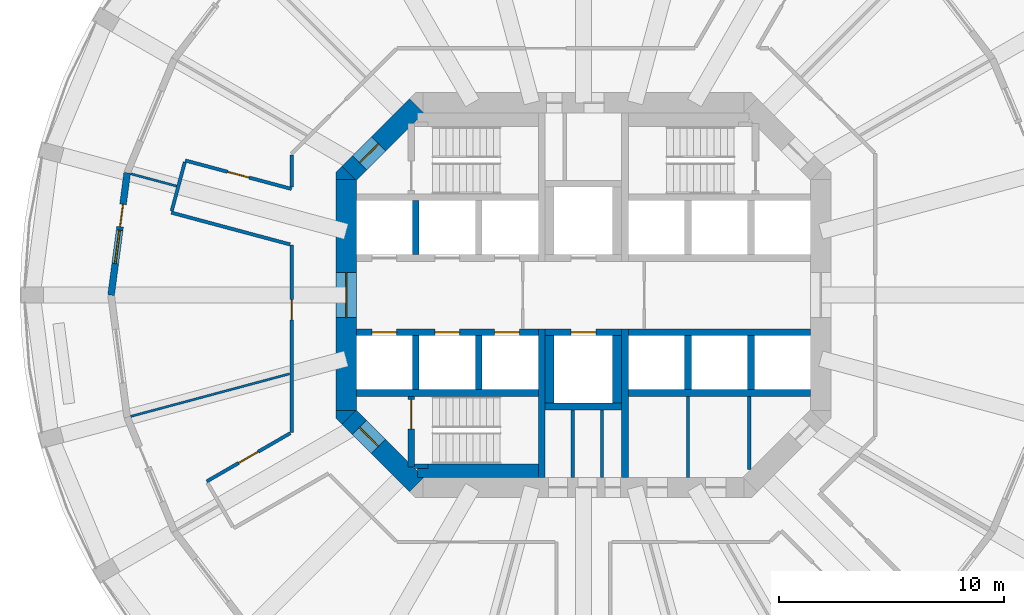
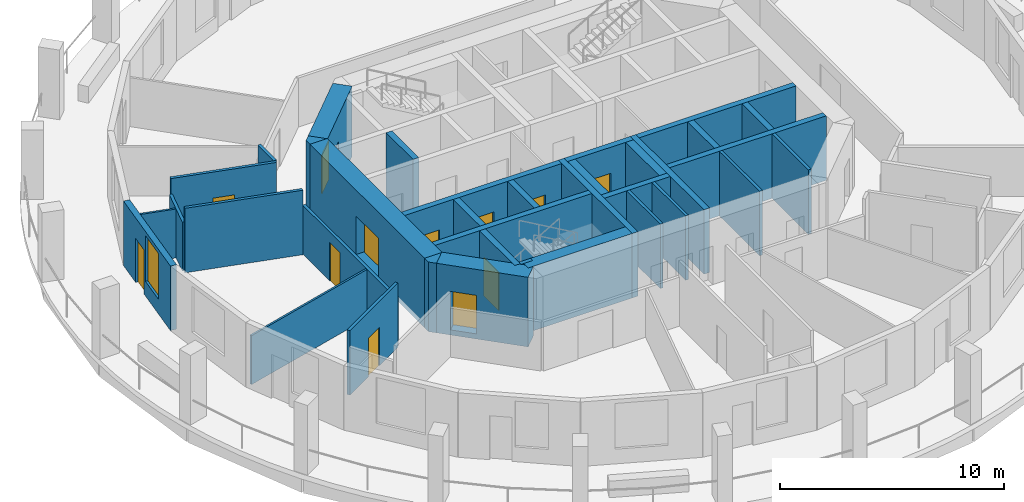
# One storey, part 3 of 8: 36 walls, 12 doors, 1 window, 13 openings.
"""IFC4 building model written with IfcOpenShell, lengths in metres."""

from ifc_helpers import new_model, si_unit, direction, frame, frame_2d, origin, place, context, subcontext, project, spatial, polyline, rectangle, outline, extrude, material, layer, layer_set, type_object, element, fill, save


model = new_model("IFC4")

# Units and contexts
model_context = context("Model", 3, precision=1e-05, world=origin(), true_north=direction((0.0, 1.0)))
body_context = subcontext(model_context, "Body", "Model", "MODEL_VIEW")
ifc_project = project(units=[si_unit("LENGTHUNIT", "METRE"), si_unit("AREAUNIT", "SQUARE_METRE"), si_unit("VOLUMEUNIT", "CUBIC_METRE"), si_unit("PLANEANGLEUNIT", "RADIAN"), si_unit("MASSUNIT", "GRAM", prefix="KILO")], contexts=[model_context])

# Site, building, storey
site_placement = place(None, origin())
site = spatial("IfcSite", under=ifc_project, at=site_placement, CompositionType="ELEMENT")
building_placement = place(site_placement, origin())
building = spatial("IfcBuilding", under=site, at=building_placement, Name="Torre Triforio", CompositionType="ELEMENT")
storey_placement = place(building_placement, frame((0.0, 0.0, 120.0)))
storey = spatial("IfcBuildingStorey", under=building, at=storey_placement, Name="L26", CompositionType="ELEMENT", Elevation=120.0)

# Walls
ifc_material_1 = material(Name="Concrete C60", Category="concrete")
ifc_layer_1 = layer(ifc_material_1, 0.300048828125)
ifc_layer_set_1 = layer_set([ifc_layer_1], Name="Concrete C60")
wall_type_1 = type_object("IfcWallType", Name="Core wall 300 mm C60 EI 120", PredefinedType="SHEAR", material=ifc_layer_set_1)
for number, where, z_axis, x_axis, name in (
    (1, (-1.85009765625, -8.10009765625, 0.0), (0.0, 0.0, 1.0), (0.0, 1.0, 0.0), "Core wall"),
    (2, (1.85009765625, -8.10009765625, 0.0), (0.0, 0.0, 1.0), (0.0, 1.0, 0.0), "Core wall"),
):
    element("IfcWall", number, at=place(storey_placement, frame(where, z_axis=z_axis, x_axis=x_axis)), inside=storey, type_object=wall_type_1, Name=name, PredefinedType="SHEAR", context=body_context, shape_type="SweptSolid", body=[
        extrude(rectangle(XDim=6.60009765625, YDim=0.300048828125, at=frame_2d((3.300048828125, 0.0))), origin(), (0.0, 0.0, 1.0), 3.52001953125),
    ])

# Wall, opening, door
ifc_layer_2 = layer(ifc_material_1, 0.89990234375)
ifc_layer_set_2 = layer_set([ifc_layer_2], Name="Concrete C60")
wall_type_2 = type_object("IfcWallType", Name="Core wall 900 mm C60 EI 120", PredefinedType="SHEAR", material=ifc_layer_set_2)
wall_1_placement = place(storey_placement, frame((-10.550048828125, -5.1298828125, -0.280029296875), z_axis=(0.0, 0.0, 1.0), x_axis=(0.0, 1.0, 0.0)))
wall_1 = element("IfcWall", 3, at=wall_1_placement, inside=storey, type_object=wall_type_2, Name="Core wall", PredefinedType="SHEAR", context=body_context, shape_type="SweptSolid", body=[
    extrude(rectangle(XDim=10.259765625, YDim=0.89990234375, at=frame_2d((5.1298828125, 0.0))), origin(), (0.0, 0.0, 1.0), 3.800048828125),
])
opening_1_placement = place(wall_1_placement, frame((4.1298828125, 0.0, 0.280029296875)))
opening_1 = element("IfcOpeningElement", 4, at=opening_1_placement, cuts=wall_1, Name="Opening W-RING", PredefinedType="OPENING", context=body_context, shape_type="SweptSolid", body=[
    extrude(rectangle(XDim=2.0, YDim=2.10009765625, at=frame_2d((1.0, 1.050048828125))), frame((0.0, 0.4599609375, 0.0), z_axis=(0.0, -1.0, 0.0), x_axis=(1.0, 0.0, 0.0)), (0.0, 0.0, 1.0), 0.919921875),
])
ifc_material_2 = material(Name="Hollow metal fire door leaf")
door_type_1 = type_object("IfcDoorType", Name="Lobby door 2000 x 2100 EI 60", OperationType="DOUBLE_DOOR_SINGLE_SWING", PredefinedType="DOOR", material=ifc_material_2)
door_1_placement = place(opening_1_placement, origin())
door_1 = element("IfcDoor", 5, at=door_1_placement, inside=storey, type_object=door_type_1, Name="Core door W-RING", OperationType="DOUBLE_DOOR_SINGLE_SWING", OverallHeight=2.10009765625, OverallWidth=2.0, PredefinedType="DOOR", context=body_context, shape_type="SweptSolid", body=[
    extrude(rectangle(XDim=2.0, YDim=2.10009765625, at=frame_2d((1.0, 1.050048828125))), frame((0.0, 0.02490234375, 0.0), z_axis=(0.0, -1.0, 0.0), x_axis=(1.0, 0.0, 0.0)), (0.0, 0.0, 1.0), 0.050048828125),
])
fill(opening_1, door_1)

wall_2_placement = place(storey_placement, frame((-10.418212890625, 5.418212890625, -0.280029296875), z_axis=(0.0, 0.0, 1.0), x_axis=(0.707106781187, 0.707106781187, 0.0)))
wall_2 = element("IfcWall", 6, at=wall_2_placement, inside=storey, type_object=wall_type_2, Name="Core wall", PredefinedType="SHEAR", context=body_context, shape_type="SweptSolid", body=[
    extrude(rectangle(XDim=4.24267578125, YDim=0.89990234375, at=frame_2d((2.121337890625, 0.0))), origin(), (0.0, 0.0, 1.0), 3.800048828125),
])
opening_2_placement = place(wall_2_placement, frame((0.64990234375, 0.0, 0.280029296875)))
opening_2 = element("IfcOpeningElement", 7, at=opening_2_placement, cuts=wall_2, Name="Opening ST1-EXIT", PredefinedType="OPENING", context=body_context, shape_type="SweptSolid", body=[
    extrude(rectangle(XDim=1.199951171875, YDim=2.10009765625, at=frame_2d((0.60009765625, 1.050048828125))), frame((0.0, 0.4599609375, 0.0), z_axis=(0.0, -1.0, 0.0), x_axis=(1.0, 0.0, 0.0)), (0.0, 0.0, 1.0), 0.919921875),
])
door_type_2 = type_object("IfcDoorType", Name="Stair lobby door 1200 x 2100 EI 60", OperationType="NOTDEFINED", PredefinedType="DOOR", material=ifc_material_2)
door_2_placement = place(opening_2_placement, origin())
door_2 = element("IfcDoor", 8, at=door_2_placement, inside=storey, type_object=door_type_2, Name="Core door ST1-EXIT", OperationType="SINGLE_SWING_RIGHT", OverallHeight=2.10009765625, OverallWidth=1.199951171875, PredefinedType="DOOR", context=body_context, shape_type="SweptSolid", body=[
    extrude(rectangle(XDim=1.199951171875, YDim=2.10009765625, at=frame_2d((0.60009765625, 1.050048828125))), frame((0.0, 0.02490234375, 0.0), z_axis=(0.0, -1.0, 0.0), x_axis=(1.0, 0.0, 0.0)), (0.0, 0.0, 1.0), 0.050048828125),
])
fill(opening_2, door_2)

wall_3_placement = place(storey_placement, frame((-7.418212890625, -8.418212890625, -0.280029296875), z_axis=(0.0, 0.0, 1.0), x_axis=(-0.707106781187, 0.707106781187, 0.0)))
wall_3 = element("IfcWall", 9, at=wall_3_placement, inside=storey, type_object=wall_type_2, Name="Core wall", PredefinedType="SHEAR", context=body_context, shape_type="SweptSolid", body=[
    extrude(rectangle(XDim=4.24267578125, YDim=0.89990234375, at=frame_2d((2.121337890625, 0.0))), origin(), (0.0, 0.0, 1.0), 3.800048828125),
])
opening_3_placement = place(wall_3_placement, frame((2.392578125, 0.0, 0.280029296875)))
opening_3 = element("IfcOpeningElement", 10, at=opening_3_placement, cuts=wall_3, Name="Opening ST3-EXIT", PredefinedType="OPENING", context=body_context, shape_type="SweptSolid", body=[
    extrude(rectangle(XDim=1.199951171875, YDim=2.10009765625, at=frame_2d((0.60009765625, 1.050048828125))), frame((0.0, 0.4599609375, 0.0), z_axis=(0.0, -1.0, 0.0), x_axis=(1.0, 0.0, 0.0)), (0.0, 0.0, 1.0), 0.919921875),
])
door_3_placement = place(opening_3_placement, origin())
door_3 = element("IfcDoor", 11, at=door_3_placement, inside=storey, type_object=door_type_2, Name="Core door ST3-EXIT", OperationType="SINGLE_SWING_RIGHT", OverallHeight=2.10009765625, OverallWidth=1.199951171875, PredefinedType="DOOR", context=body_context, shape_type="SweptSolid", body=[
    extrude(rectangle(XDim=1.199951171875, YDim=2.10009765625, at=frame_2d((0.60009765625, 1.050048828125))), frame((0.0, 0.02490234375, 0.0), z_axis=(0.0, -1.0, 0.0), x_axis=(1.0, 0.0, 0.0)), (0.0, 0.0, 1.0), 0.050048828125),
])
fill(opening_3, door_3)

# Walls
wall_4_placement = place(storey_placement, frame((0.0, 0.0, -0.280029296875)))
element("IfcWall", 12, at=wall_4_placement, inside=storey, type_object=wall_type_2, Name="Core wall", PredefinedType="SHEAR", context=body_context, shape_type="SweptSolid", body=[
    extrude(outline(polyline([(-11.0, -5.472900390625), (-11.0, -5.1298828125), (-10.1298828125, -5.1298828125), (-10.736328125, -5.736328125), (-11.0, -5.472900390625)])), origin(), (0.0, 0.0, 1.0), 3.800048828125),
])
wall_5_placement = place(storey_placement, frame((0.0, 0.0, -0.280029296875)))
element("IfcWall", 13, at=wall_5_placement, inside=storey, type_object=wall_type_2, Name="Core wall", PredefinedType="SHEAR", context=body_context, shape_type="SweptSolid", body=[
    extrude(outline(polyline([(-10.736328125, 5.736328125), (-10.1298828125, 5.1298828125), (-11.0, 5.1298828125), (-11.0, 5.472900390625), (-10.736328125, 5.736328125)])), origin(), (0.0, 0.0, 1.0), 3.800048828125),
])

# Wall, opening, door
ifc_material_3 = material(Name="Plasterboard on metal studs")
ifc_layer_3 = layer(ifc_material_3, 0.14990234375)
ifc_layer_set_3 = layer_set([ifc_layer_3], Name="Plasterboard on metal studs")
wall_type_3 = type_object("IfcWallType", Name="Corridor and tenancy wall 150 mm EI 60", PredefinedType="PARTITIONING", material=ifc_layer_set_3)
wall_6_placement = place(storey_placement, frame((-16.750244140625, -8.28515625, 0.0), z_axis=(0.0, 0.0, 1.0), x_axis=(0.866019905438, 0.500009523294, 0.0)))
wall_6 = element("IfcWall", 14, at=wall_6_placement, inside=storey, type_object=wall_type_3, Name="Partition 2", PredefinedType="PARTITIONING", context=body_context, shape_type="SweptSolid", body=[
    extrude(rectangle(XDim=4.29443359375, YDim=0.14990234375, at=frame_2d((2.147216796875, 0.0))), origin(), (0.0, 0.0, 1.0), 3.52001953125),
])
opening_4_placement = place(wall_6_placement, frame((1.647216796875, 0.0, 0.0)))
opening_4 = element("IfcOpeningElement", 15, at=opening_4_placement, cuts=wall_6, Name="Opening D1-05", PredefinedType="OPENING", context=body_context, shape_type="SweptSolid", body=[
    extrude(rectangle(XDim=1.0, YDim=2.10009765625, at=frame_2d((0.5, 1.050048828125))), frame((0.0, 0.0849609375, 0.0), z_axis=(0.0, -1.0, 0.0), x_axis=(1.0, 0.0, 0.0)), (0.0, 0.0, 1.0), 0.169921875),
])
ifc_material_4 = material(Name="Timber", Category="wood")
door_type_3 = type_object("IfcDoorType", Name="Door 1000 x 2100 single leaf EI 30", OperationType="NOTDEFINED", PredefinedType="DOOR", material=ifc_material_4)
door_4_placement = place(opening_4_placement, origin())
door_4 = element("IfcDoor", 16, at=door_4_placement, inside=storey, type_object=door_type_3, Name="Door D1-05", OperationType="SINGLE_SWING_RIGHT", OverallHeight=2.10009765625, OverallWidth=1.0, PredefinedType="DOOR", context=body_context, shape_type="SweptSolid", body=[
    extrude(rectangle(XDim=1.0, YDim=2.10009765625, at=frame_2d((0.5, 1.050048828125))), frame((0.0, 0.02490234375, 0.0), z_axis=(0.0, -1.0, 0.0), x_axis=(1.0, 0.0, 0.0)), (0.0, 0.0, 1.0), 0.050048828125),
])
fill(opening_4, door_4)

wall_7_placement = place(storey_placement, frame((-12.97509765625, -6.10546875, 0.0), z_axis=(0.0, 0.0, 1.0), x_axis=(0.0, 1.0, 0.0)))
wall_7 = element("IfcWall", 17, at=wall_7_placement, inside=storey, type_object=wall_type_3, Name="Partition 3", PredefinedType="PARTITIONING", context=body_context, shape_type="SweptSolid", body=[
    extrude(rectangle(XDim=8.33984375, YDim=0.14990234375, at=frame_2d((4.169921875, 0.0))), origin(), (0.0, 0.0, 1.0), 2.669921875),
])
opening_5_placement = place(wall_7_placement, frame((5.00830078125, 0.0, 0.0)))
opening_5 = element("IfcOpeningElement", 18, at=opening_5_placement, cuts=wall_7, Name="Opening D1-04", PredefinedType="OPENING", context=body_context, shape_type="SweptSolid", body=[
    extrude(rectangle(XDim=0.89990234375, YDim=2.10009765625, at=frame_2d((0.449951171875, 1.050048828125))), frame((0.0, 0.0849609375, 0.0), z_axis=(0.0, -1.0, 0.0), x_axis=(1.0, 0.0, 0.0)), (0.0, 0.0, 1.0), 0.169921875),
])
door_type_4 = type_object("IfcDoorType", Name="Door 900 x 2100 single leaf EI 30", OperationType="NOTDEFINED", PredefinedType="DOOR", material=ifc_material_4)
door_5_placement = place(opening_5_placement, origin())
door_5 = element("IfcDoor", 19, at=door_5_placement, inside=storey, type_object=door_type_4, Name="Door D1-04", OperationType="SINGLE_SWING_LEFT", OverallHeight=2.10009765625, OverallWidth=0.89990234375, PredefinedType="DOOR", context=body_context, shape_type="SweptSolid", body=[
    extrude(rectangle(XDim=0.89990234375, YDim=2.10009765625, at=frame_2d((0.449951171875, 1.050048828125))), frame((0.0, 0.02490234375, 0.0), z_axis=(0.0, -1.0, 0.0), x_axis=(1.0, 0.0, 0.0)), (0.0, 0.0, 1.0), 0.050048828125),
])
fill(opening_5, door_5)

# Walls
wall_8_placement = place(storey_placement, frame((-13.044921875, 2.253173828125, 0.0), z_axis=(0.0, 0.0, 1.0), x_axis=(-0.965932498402, 0.258794143153, 0.0)))
element("IfcWall", 20, at=wall_8_placement, inside=storey, type_object=wall_type_3, Name="Partition 4", PredefinedType="PARTITIONING", context=body_context, shape_type="SweptSolid", body=[
    extrude(rectangle(XDim=5.465087890625, YDim=0.14990234375, at=frame_2d((2.732421875, 0.0))), origin(), (0.0, 0.0, 1.0), 3.52001953125),
])
wall_9_placement = place(storey_placement, frame((-18.304443359375, 3.739990234375, 0.0), z_axis=(0.0, 0.0, 1.0), x_axis=(0.25879032241, 0.965933522054, 0.0)))
element("IfcWall", 21, at=wall_9_placement, inside=storey, type_object=wall_type_3, Name="Partition 5", PredefinedType="PARTITIONING", context=body_context, shape_type="SweptSolid", body=[
    extrude(rectangle(XDim=2.25, YDim=0.14990234375, at=frame_2d((1.125, 0.0))), origin(), (0.0, 0.0, 1.0), 2.669921875),
])

# Wall, opening, door
wall_10_placement = place(storey_placement, frame((-17.70263671875, 5.98583984375, 0.0), z_axis=(0.0, 0.0, 1.0), x_axis=(0.965920440817, -0.258839143121, 0.0)))
wall_10 = element("IfcWall", 22, at=wall_10_placement, inside=storey, type_object=wall_type_3, Name="Partition 6", PredefinedType="PARTITIONING", context=body_context, shape_type="SweptSolid", body=[
    extrude(rectangle(XDim=4.894287109375, YDim=0.14990234375, at=frame_2d((2.447265625, 0.0))), origin(), (0.0, 0.0, 1.0), 3.52001953125),
])
opening_6_placement = place(wall_10_placement, frame((1.947265625, 0.0, 0.0)))
opening_6 = element("IfcOpeningElement", 23, at=opening_6_placement, cuts=wall_10, Name="Opening D1-03", PredefinedType="OPENING", context=body_context, shape_type="SweptSolid", body=[
    extrude(rectangle(XDim=1.0, YDim=2.10009765625, at=frame_2d((0.5, 1.050048828125))), frame((0.0, 0.0849609375, 0.0), z_axis=(0.0, -1.0, 0.0), x_axis=(1.0, 0.0, 0.0)), (0.0, 0.0, 1.0), 0.169921875),
])
door_6_placement = place(opening_6_placement, origin())
door_6 = element("IfcDoor", 24, at=door_6_placement, inside=storey, type_object=door_type_3, Name="Door D1-03", OperationType="SINGLE_SWING_RIGHT", OverallHeight=2.10009765625, OverallWidth=1.0, PredefinedType="DOOR", context=body_context, shape_type="SweptSolid", body=[
    extrude(rectangle(XDim=1.0, YDim=2.10009765625, at=frame_2d((0.5, 1.050048828125))), frame((0.0, 0.02490234375, 0.0), z_axis=(0.0, -1.0, 0.0), x_axis=(1.0, 0.0, 0.0)), (0.0, 0.0, 1.0), 0.050048828125),
])
fill(opening_6, door_6)

# Walls
wall_11_placement = place(storey_placement, frame((-12.97509765625, 4.81640625, 0.0), z_axis=(0.0, 0.0, 1.0), x_axis=(0.0, 1.0, 0.0)))
element("IfcWall", 25, at=wall_11_placement, inside=storey, type_object=wall_type_3, Name="Partition 7", PredefinedType="PARTITIONING", context=body_context, shape_type="SweptSolid", body=[
    extrude(rectangle(XDim=1.421875, YDim=0.14990234375, at=frame_2d((0.7109375, 0.0))), origin(), (0.0, 0.0, 1.0), 3.52001953125),
])
ifc_layer_4 = layer(ifc_material_3, 0.10009765625)
ifc_layer_set_4 = layer_set([ifc_layer_4], Name="Plasterboard on metal studs")
wall_type_4 = type_object("IfcWallType", Name="Partition 100 mm board on metal studs", PredefinedType="PARTITIONING", material=ifc_layer_set_4)
wall_12_placement = place(storey_placement, frame((-18.085693359375, 4.84619140625, 0.0), z_axis=(0.0, 0.0, 1.0), x_axis=(-0.965956301772, 0.258705282257, 0.0)))
element("IfcWall", 26, at=wall_12_placement, inside=storey, type_object=wall_type_4, Name="Partition 35", PredefinedType="PARTITIONING", context=body_context, shape_type="SweptSolid", body=[
    extrude(rectangle(XDim=2.113037109375, YDim=0.10009765625, at=frame_2d((1.056640625, 0.0))), origin(), (0.0, 0.0, 1.0), 2.669921875),
])
wall_13_placement = place(storey_placement, frame((-13.064208984375, -3.50048828125, 0.0), z_axis=(0.0, 0.0, 1.0), x_axis=(-0.965927781613, -0.258811747624, 0.0)))
element("IfcWall", 27, at=wall_13_placement, inside=storey, type_object=wall_type_4, Name="Partition 36", PredefinedType="PARTITIONING", context=body_context, shape_type="SweptSolid", body=[
    extrude(rectangle(XDim=7.3115234375, YDim=0.10009765625, at=frame_2d((3.65576171875, 0.0))), origin(), (0.0, 0.0, 1.0), 2.669921875),
])
ifc_material_5 = material(Name="Block and board partition")
ifc_layer_5 = layer(ifc_material_5, 0.14990234375)
ifc_layer_set_5 = layer_set([ifc_layer_5], Name="Block and board partition")
wall_type_5 = type_object("IfcWallType", Name="Partition 150 mm", PredefinedType="PARTITIONING", material=ifc_layer_set_5)
wall_14_placement = place(storey_placement, frame((-0.47509765625, -8.10009765625, 0.0), z_axis=(0.0, 0.0, 1.0), x_axis=(0.0, 1.0, 0.0)))
element("IfcWall", 28, at=wall_14_placement, inside=storey, type_object=wall_type_5, Name="Partition", PredefinedType="PARTITIONING", context=body_context, shape_type="SweptSolid", body=[
    extrude(rectangle(XDim=3.0, YDim=0.14990234375, at=frame_2d((1.5, 0.0))), origin(), (0.0, 0.0, 1.0), 3.52001953125),
])
wall_15_placement = place(storey_placement, frame((4.64892578125, -8.10009765625, 0.0), z_axis=(0.0, 0.0, 1.0), x_axis=(0.0, 1.0, 0.0)))
element("IfcWall", 29, at=wall_15_placement, inside=storey, type_object=wall_type_5, Name="Partition", PredefinedType="PARTITIONING", context=body_context, shape_type="SweptSolid", body=[
    extrude(rectangle(XDim=3.60009765625, YDim=0.14990234375, at=frame_2d((1.800048828125, 0.0))), origin(), (0.0, 0.0, 1.0), 3.52001953125),
])
wall_16_placement = place(storey_placement, frame((7.373046875, -7.751953125, 0.0), z_axis=(0.0, 0.0, 1.0), x_axis=(0.0, 1.0, 0.0)))
element("IfcWall", 30, at=wall_16_placement, inside=storey, type_object=wall_type_5, Name="Partition", PredefinedType="PARTITIONING", context=body_context, shape_type="SweptSolid", body=[
    extrude(rectangle(XDim=3.251953125, YDim=0.14990234375, at=frame_2d((1.6259765625, 0.0))), origin(), (0.0, 0.0, 1.0), 3.52001953125),
])
ifc_layer_6 = layer(ifc_material_5, 0.14990234375)
ifc_layer_set_6 = layer_set([ifc_layer_6], Name="Block and board partition")
wall_type_6 = type_object("IfcWallType", Name="Partition 150 mm EI 120", PredefinedType="PARTITIONING", material=ifc_layer_set_6)
wall_17_placement = place(storey_placement, frame((0.824951171875, -8.10009765625, 0.0), z_axis=(0.0, 0.0, 1.0), x_axis=(0.0, 1.0, 0.0)))
element("IfcWall", 31, at=wall_17_placement, inside=storey, type_object=wall_type_6, Name="Partition", PredefinedType="PARTITIONING", context=body_context, shape_type="SweptSolid", body=[
    extrude(rectangle(XDim=3.0, YDim=0.14990234375, at=frame_2d((1.5, 0.0))), origin(), (0.0, 0.0, 1.0), 3.52001953125),
])
ifc_layer_7 = layer(ifc_material_1, 0.300048828125)
ifc_layer_set_7 = layer_set([ifc_layer_7], Name="Concrete C60")
wall_type_7 = type_object("IfcWallType", Name="Shaft wall 300 mm C60 EI 120", PredefinedType="SOLIDWALL", material=ifc_layer_set_7)
for number, where, z_axis, x_axis, name in (
    (32, (-10.10009765625, -4.35009765625, 0.0), (0.0, 0.0, 1.0), (1.0, 0.0, 0.0), "Shaft wall"),
    (33, (2.0, -4.35009765625, 0.0), (0.0, 0.0, 1.0), (1.0, 0.0, 0.0), "Shaft wall"),
):
    element("IfcWall", number, at=place(storey_placement, frame(where, z_axis=z_axis, x_axis=x_axis)), inside=storey, type_object=wall_type_7, Name=name, PredefinedType="SOLIDWALL", context=body_context, shape_type="SweptSolid", body=[
        extrude(rectangle(XDim=8.10009765625, YDim=0.300048828125, at=frame_2d((4.050048828125, 0.0))), origin(), (0.0, 0.0, 1.0), 3.52001953125),
    ])

# Wall, openings, doors
wall_18_placement = place(storey_placement, frame((-10.10009765625, -1.64990234375, 0.0), z_axis=(0.0, 0.0, 1.0), x_axis=(1.0, 0.0, 0.0)))
wall_18 = element("IfcWall", 34, at=wall_18_placement, inside=storey, type_object=wall_type_7, Name="Shaft wall", PredefinedType="SOLIDWALL", context=body_context, shape_type="SweptSolid", body=[
    extrude(rectangle(XDim=8.10009765625, YDim=0.300048828125, at=frame_2d((4.050048828125, 0.0))), origin(), (0.0, 0.0, 1.0), 3.52001953125),
])
opening_7_placement = place(wall_18_placement, frame((0.699951171875, 0.0, 0.0)))
opening_7 = element("IfcOpeningElement", 35, at=opening_7_placement, cuts=wall_18, Name="Opening LD", PredefinedType="OPENING", context=body_context, shape_type="SweptSolid", body=[
    extrude(rectangle(XDim=1.10009765625, YDim=2.10009765625, at=frame_2d((0.550048828125, 1.050048828125))), frame((0.0, 0.159912109375, 0.0), z_axis=(0.0, -1.0, 0.0), x_axis=(1.0, 0.0, 0.0)), (0.0, 0.0, 1.0), 0.320068359375),
])
opening_8_placement = place(wall_18_placement, frame((3.5, 0.0, 0.0)))
opening_8 = element("IfcOpeningElement", 36, at=opening_8_placement, cuts=wall_18, Name="Opening LD", PredefinedType="OPENING", context=body_context, shape_type="SweptSolid", body=[
    extrude(rectangle(XDim=1.10009765625, YDim=2.10009765625, at=frame_2d((0.550048828125, 1.050048828125))), frame((0.0, 0.159912109375, 0.0), z_axis=(0.0, -1.0, 0.0), x_axis=(1.0, 0.0, 0.0)), (0.0, 0.0, 1.0), 0.320068359375),
])
opening_9_placement = place(wall_18_placement, frame((6.14990234375, 0.0, 0.0)))
opening_9 = element("IfcOpeningElement", 37, at=opening_9_placement, cuts=wall_18, Name="Opening LD", PredefinedType="OPENING", context=body_context, shape_type="SweptSolid", body=[
    extrude(rectangle(XDim=1.10009765625, YDim=2.10009765625, at=frame_2d((0.550048828125, 1.050048828125))), frame((0.0, 0.159912109375, 0.0), z_axis=(0.0, -1.0, 0.0), x_axis=(1.0, 0.0, 0.0)), (0.0, 0.0, 1.0), 0.320068359375),
])
door_type_5 = type_object("IfcDoorType", Name="Landing door 1100 x 2100 EI 60", OperationType="DOUBLE_DOOR_SLIDING", PredefinedType="DOOR", material=ifc_material_2)
door_7_placement = place(opening_7_placement, origin())
door_7 = element("IfcDoor", 38, at=door_7_placement, inside=storey, type_object=door_type_5, Name="Landing door LR4", OperationType="DOUBLE_DOOR_SLIDING", OverallHeight=2.10009765625, OverallWidth=1.10009765625, PredefinedType="DOOR", context=body_context, shape_type="SweptSolid", body=[
    extrude(rectangle(XDim=1.10009765625, YDim=2.10009765625, at=frame_2d((0.550048828125, 1.050048828125))), frame((0.0, 0.02490234375, 0.0), z_axis=(0.0, -1.0, 0.0), x_axis=(1.0, 0.0, 0.0)), (0.0, 0.0, 1.0), 0.050048828125),
])
fill(opening_7, door_7)
door_8_placement = place(opening_8_placement, origin())
door_8 = element("IfcDoor", 39, at=door_8_placement, inside=storey, type_object=door_type_5, Name="Landing door LR5", OperationType="DOUBLE_DOOR_SLIDING", OverallHeight=2.10009765625, OverallWidth=1.10009765625, PredefinedType="DOOR", context=body_context, shape_type="SweptSolid", body=[
    extrude(rectangle(XDim=1.10009765625, YDim=2.10009765625, at=frame_2d((0.550048828125, 1.050048828125))), frame((0.0, 0.02490234375, 0.0), z_axis=(0.0, -1.0, 0.0), x_axis=(1.0, 0.0, 0.0)), (0.0, 0.0, 1.0), 0.050048828125),
])
fill(opening_8, door_8)
door_9_placement = place(opening_9_placement, origin())
door_9 = element("IfcDoor", 40, at=door_9_placement, inside=storey, type_object=door_type_5, Name="Landing door LR6", OperationType="DOUBLE_DOOR_SLIDING", OverallHeight=2.10009765625, OverallWidth=1.10009765625, PredefinedType="DOOR", context=body_context, shape_type="SweptSolid", body=[
    extrude(rectangle(XDim=1.10009765625, YDim=2.10009765625, at=frame_2d((0.550048828125, 1.050048828125))), frame((0.0, 0.02490234375, 0.0), z_axis=(0.0, -1.0, 0.0), x_axis=(1.0, 0.0, 0.0)), (0.0, 0.0, 1.0), 0.050048828125),
])
fill(opening_9, door_9)

# Walls
wall_19_placement = place(storey_placement, frame((2.0, -1.64990234375, 0.0), z_axis=(0.0, 0.0, 1.0), x_axis=(1.0, 0.0, 0.0)))
element("IfcWall", 41, at=wall_19_placement, inside=storey, type_object=wall_type_7, Name="Shaft wall", PredefinedType="SOLIDWALL", context=body_context, shape_type="SweptSolid", body=[
    extrude(rectangle(XDim=8.10009765625, YDim=0.300048828125, at=frame_2d((4.050048828125, 0.0))), origin(), (0.0, 0.0, 1.0), 3.52001953125),
])
for number, where, z_axis, x_axis, name in (
    (42, (-7.449951171875, 1.800048828125, 0.0), (0.0, 0.0, 1.0), (0.0, 1.0, 0.0), "Shaft wall"),
    (43, (-7.449951171875, -4.199951171875, 0.0), (0.0, 0.0, 1.0), (0.0, 1.0, 0.0), "Shaft wall"),
    (44, (-4.64990234375, -4.199951171875, 0.0), (0.0, 0.0, 1.0), (0.0, 1.0, 0.0), "Shaft wall"),
    (45, (4.64990234375, -4.199951171875, 0.0), (0.0, 0.0, 1.0), (0.0, 1.0, 0.0), "Shaft wall"),
    (46, (7.449951171875, -4.199951171875, 0.0), (0.0, 0.0, 1.0), (0.0, 1.0, 0.0), "Shaft wall"),
):
    element("IfcWall", number, at=place(storey_placement, frame(where, z_axis=z_axis, x_axis=x_axis)), inside=storey, type_object=wall_type_7, Name=name, PredefinedType="SOLIDWALL", context=body_context, shape_type="SweptSolid", body=[
        extrude(rectangle(XDim=2.39990234375, YDim=0.300048828125, at=frame_2d((1.199951171875, 0.0))), origin(), (0.0, 0.0, 1.0), 3.52001953125),
    ])

# Wall, opening, door
wall_20_placement = place(storey_placement, frame((-1.699951171875, -1.64990234375, 0.0), z_axis=(0.0, 0.0, 1.0), x_axis=(1.0, 0.0, 0.0)))
wall_20 = element("IfcWall", 47, at=wall_20_placement, inside=storey, type_object=wall_type_7, Name="Shaft wall", PredefinedType="SOLIDWALL", context=body_context, shape_type="SweptSolid", body=[
    extrude(rectangle(XDim=3.39990234375, YDim=0.300048828125, at=frame_2d((1.699951171875, 0.0))), origin(), (0.0, 0.0, 1.0), 3.52001953125),
])
opening_10_placement = place(wall_20_placement, frame((1.14990234375, 0.0, 0.0)))
opening_10 = element("IfcOpeningElement", 48, at=opening_10_placement, cuts=wall_20, Name="Opening LD", PredefinedType="OPENING", context=body_context, shape_type="SweptSolid", body=[
    extrude(rectangle(XDim=1.10009765625, YDim=2.10009765625, at=frame_2d((0.550048828125, 1.050048828125))), frame((0.0, 0.159912109375, 0.0), z_axis=(0.0, -1.0, 0.0), x_axis=(1.0, 0.0, 0.0)), (0.0, 0.0, 1.0), 0.320068359375),
])
door_10_placement = place(opening_10_placement, origin())
door_10 = element("IfcDoor", 49, at=door_10_placement, inside=storey, type_object=door_type_5, Name="Landing door FFL2", OperationType="DOUBLE_DOOR_SLIDING", OverallHeight=2.10009765625, OverallWidth=1.10009765625, PredefinedType="DOOR", context=body_context, shape_type="SweptSolid", body=[
    extrude(rectangle(XDim=1.10009765625, YDim=2.10009765625, at=frame_2d((0.550048828125, 1.050048828125))), frame((0.0, 0.02490234375, 0.0), z_axis=(0.0, -1.0, 0.0), x_axis=(1.0, 0.0, 0.0)), (0.0, 0.0, 1.0), 0.050048828125),
])
fill(opening_10, door_10)

# Walls
wall_21_placement = place(storey_placement, frame((-1.699951171875, -4.949951171875, 0.0), z_axis=(0.0, 0.0, 1.0), x_axis=(1.0, 0.0, 0.0)))
element("IfcWall", 50, at=wall_21_placement, inside=storey, type_object=wall_type_7, Name="Shaft wall", PredefinedType="SOLIDWALL", context=body_context, shape_type="SweptSolid", body=[
    extrude(rectangle(XDim=3.39990234375, YDim=0.300048828125, at=frame_2d((1.699951171875, 0.0))), origin(), (0.0, 0.0, 1.0), 3.52001953125),
])
ifc_layer_8 = layer(ifc_material_1, 0.39990234375)
ifc_layer_set_8 = layer_set([ifc_layer_8], Name="Concrete C60")
wall_type_8 = type_object("IfcWallType", Name="Shaft wall 400 mm C60 EI 120", PredefinedType="SOLIDWALL", material=ifc_layer_set_8)
for number, where, z_axis, x_axis, name in (
    (51, (-1.5, -4.800048828125, 0.0), (0.0, 0.0, 1.0), (0.0, 1.0, 0.0), "Shaft wall"),
    (52, (1.5, -4.800048828125, 0.0), (0.0, 0.0, 1.0), (0.0, 1.0, 0.0), "Shaft wall"),
):
    element("IfcWall", number, at=place(storey_placement, frame(where, z_axis=z_axis, x_axis=x_axis)), inside=storey, type_object=wall_type_8, Name=name, PredefinedType="SOLIDWALL", context=body_context, shape_type="SweptSolid", body=[
        extrude(rectangle(XDim=3.0, YDim=0.39990234375, at=frame_2d((1.5, 0.0))), origin(), (0.0, 0.0, 1.0), 3.52001953125),
    ])
ifc_layer_9 = layer(ifc_material_1, 0.199951171875)
ifc_layer_set_9 = layer_set([ifc_layer_9], Name="Concrete C60")
wall_type_9 = type_object("IfcWallType", Name="Stair wall 200 mm C60 EI 120", PredefinedType="SHEAR", material=ifc_layer_set_9)
wall_22_placement = place(storey_placement, frame((-7.5, -7.60009765625, 0.0), z_axis=(0.0, 0.0, 1.0), x_axis=(1.0, 0.0, 0.0)))
element("IfcWall", 53, at=wall_22_placement, inside=storey, type_object=wall_type_9, Name="Stair wall", PredefinedType="SHEAR", context=body_context, shape_type="SweptSolid", body=[
    extrude(rectangle(XDim=0.60009765625, YDim=0.199951171875, at=frame_2d((0.300048828125, 0.0))), origin(), (0.0, 0.0, 1.0), 3.52001953125),
])

# Wall, opening, door
ifc_layer_10 = layer(ifc_material_1, 0.300048828125)
ifc_layer_set_10 = layer_set([ifc_layer_10], Name="Concrete C60")
wall_type_10 = type_object("IfcWallType", Name="Stair wall 300 mm C60 EI 120", PredefinedType="SHEAR", material=ifc_layer_set_10)
wall_23_placement = place(storey_placement, frame((-7.64990234375, -7.639892578125, 0.0), z_axis=(0.0, 0.0, 1.0), x_axis=(0.0, 1.0, 0.0)))
wall_23 = element("IfcWall", 54, at=wall_23_placement, inside=storey, type_object=wall_type_10, Name="Stair wall", PredefinedType="SHEAR", context=body_context, shape_type="SweptSolid", body=[
    extrude(rectangle(XDim=3.139892578125, YDim=0.300048828125, at=frame_2d((1.56982421875, 0.0))), origin(), (0.0, 0.0, 1.0), 3.52001953125),
])
opening_11_placement = place(wall_23_placement, frame((1.679931640625, 0.0, 0.0)))
opening_11 = element("IfcOpeningElement", 55, at=opening_11_placement, cuts=wall_23, Name="Opening ST3-STA", PredefinedType="OPENING", context=body_context, shape_type="SweptSolid", body=[
    extrude(rectangle(XDim=1.320068359375, YDim=2.10009765625, at=frame_2d((0.66015625, 1.050048828125))), frame((0.0, 0.159912109375, 0.0), z_axis=(0.0, -1.0, 0.0), x_axis=(1.0, 0.0, 0.0)), (0.0, 0.0, 1.0), 0.320068359375),
])
door_type_6 = type_object("IfcDoorType", Name="Stair door 1320 x 2100 EI 90", OperationType="DOUBLE_DOOR_SINGLE_SWING", PredefinedType="DOOR", material=ifc_material_2)
door_11_placement = place(opening_11_placement, origin())
door_11 = element("IfcDoor", 56, at=door_11_placement, inside=storey, type_object=door_type_6, Name="Core door ST3-ST", OperationType="DOUBLE_DOOR_SINGLE_SWING", OverallHeight=2.10009765625, OverallWidth=1.320068359375, PredefinedType="DOOR", context=body_context, shape_type="SweptSolid", body=[
    extrude(rectangle(XDim=1.320068359375, YDim=2.10009765625, at=frame_2d((0.66015625, 1.050048828125))), frame((0.0, 0.02490234375, 0.0), z_axis=(0.0, -1.0, 0.0), x_axis=(1.0, 0.0, 0.0)), (0.0, 0.0, 1.0), 0.050048828125),
])
fill(opening_11, door_11)

# Wall
ifc_layer_11 = layer(ifc_material_1, 0.60009765625)
ifc_layer_set_11 = layer_set([ifc_layer_11], Name="Concrete C60")
wall_type_11 = type_object("IfcWallType", Name="Stair wall 600 mm C60 EI 120", PredefinedType="SHEAR", material=ifc_layer_set_11)
wall_24_placement = place(storey_placement, frame((-7.3701171875, -7.800048828125, 0.0), z_axis=(0.0, 0.0, 1.0), x_axis=(1.0, 0.0, 0.0)))
element("IfcWall", 57, at=wall_24_placement, inside=storey, type_object=wall_type_11, Name="Stair wall", PredefinedType="SHEAR", context=body_context, shape_type="SweptSolid", body=[
    extrude(rectangle(XDim=5.3701171875, YDim=0.60009765625, at=frame_2d((2.68505859375, 0.0))), origin(), (0.0, 0.0, 1.0), 3.52001953125),
])

# Wall, openings, door, window
ifc_material_6 = material(Name="Limestone cladding", Category="masonry")
ifc_layer_12 = layer(ifc_material_6, 0.10009765625)
ifc_material_7 = material(Name="Concrete C40", Category="concrete")
ifc_layer_13 = layer(ifc_material_7, 0.199951171875)
ifc_layer_set_12 = layer_set([ifc_layer_12, ifc_layer_13], Name="Limestone cladding / Concrete C40")
wall_type_12 = type_object("IfcWallType", Name="Stone-faced composite wall 300", PredefinedType="STANDARD", material=ifc_layer_set_12)
wall_25_placement = place(storey_placement, frame((-20.284423828125, 5.435302734375, 0.0), z_axis=(0.0, 0.0, 1.0), x_axis=(-0.130527087244, -0.991444743541, 0.0)))
wall_25 = element("IfcWall", 58, at=wall_25_placement, inside=storey, type_object=wall_type_12, Name="External wall L26 bay 12", PredefinedType="STANDARD", context=body_context, shape_type="SweptSolid", body=[
    extrude(rectangle(XDim=5.482177734375, YDim=0.300048828125, at=frame_2d((2.7412109375, 0.0))), origin(), (0.0, 0.0, 1.0), 3.52001953125),
])
opening_12_placement = place(wall_25_placement, frame((1.416015625, 0.0, 0.0)))
opening_12 = element("IfcOpeningElement", 59, at=opening_12_placement, cuts=wall_25, Name="Opening D1-D12", PredefinedType="OPENING", context=body_context, shape_type="SweptSolid", body=[
    extrude(rectangle(XDim=1.0, YDim=2.39990234375, at=frame_2d((0.5, 1.199951171875))), frame((0.0, 0.159912109375, 0.0), z_axis=(0.0, -1.0, 0.0), x_axis=(1.0, 0.0, 0.0)), (0.0, 0.0, 1.0), 0.320068359375),
])
opening_13_placement = place(wall_25_placement, frame((2.566162109375, 0.0, 0.800048828125)))
opening_13 = element("IfcOpeningElement", 60, at=opening_13_placement, cuts=wall_25, Name="Opening D1-W12A", PredefinedType="OPENING", context=body_context, shape_type="SweptSolid", body=[
    extrude(rectangle(XDim=1.5, YDim=2.5, at=frame_2d((0.75, 1.25))), frame((0.0, 0.159912109375, 0.0), z_axis=(0.0, -1.0, 0.0), x_axis=(1.0, 0.0, 0.0)), (0.0, 0.0, 1.0), 0.320068359375),
])
ifc_material_8 = material(Name="Aluminium frame with clear double glazing", Category="aluminium")
door_type_7 = type_object("IfcDoorType", Name="Loggia door 1000 x 2400", OperationType="NOTDEFINED", PredefinedType="DOOR", material=ifc_material_8)
door_12_placement = place(opening_12_placement, origin())
door_12 = element("IfcDoor", 61, at=door_12_placement, inside=storey, type_object=door_type_7, Name="Loggia door L26 bay 12", OperationType="SINGLE_SWING_LEFT", OverallHeight=2.39990234375, OverallWidth=1.0, PredefinedType="DOOR", context=body_context, shape_type="SweptSolid", body=[
    extrude(rectangle(XDim=1.0, YDim=2.39990234375, at=frame_2d((0.5, 1.199951171875))), frame((0.0, 0.02490234375, 0.0), z_axis=(0.0, -1.0, 0.0), x_axis=(1.0, 0.0, 0.0)), (0.0, 0.0, 1.0), 0.050048828125),
])
fill(opening_12, door_12)
window_type = type_object("IfcWindowType", Name="Side window 1500 x 2500", PartitioningType="SINGLE_PANEL", PredefinedType="WINDOW", material=ifc_material_8)
window_placement = place(opening_13_placement, origin())
window = element("IfcWindow", 62, at=window_placement, inside=storey, type_object=window_type, Name="Side window EWN13 L26 bay 12", OverallHeight=2.5, OverallWidth=1.5, PartitioningType="SINGLE_PANEL", PredefinedType="WINDOW", context=body_context, shape_type="SweptSolid", body=[
    extrude(rectangle(XDim=1.5, YDim=2.5, at=frame_2d((0.75, 1.25))), frame((0.0, 0.030029296875, 0.0), z_axis=(0.0, -1.0, 0.0), x_axis=(1.0, 0.0, 0.0)), (0.0, 0.0, 1.0), 0.06005859375),
])
fill(opening_13, window)

save(model, "model.ifc")
